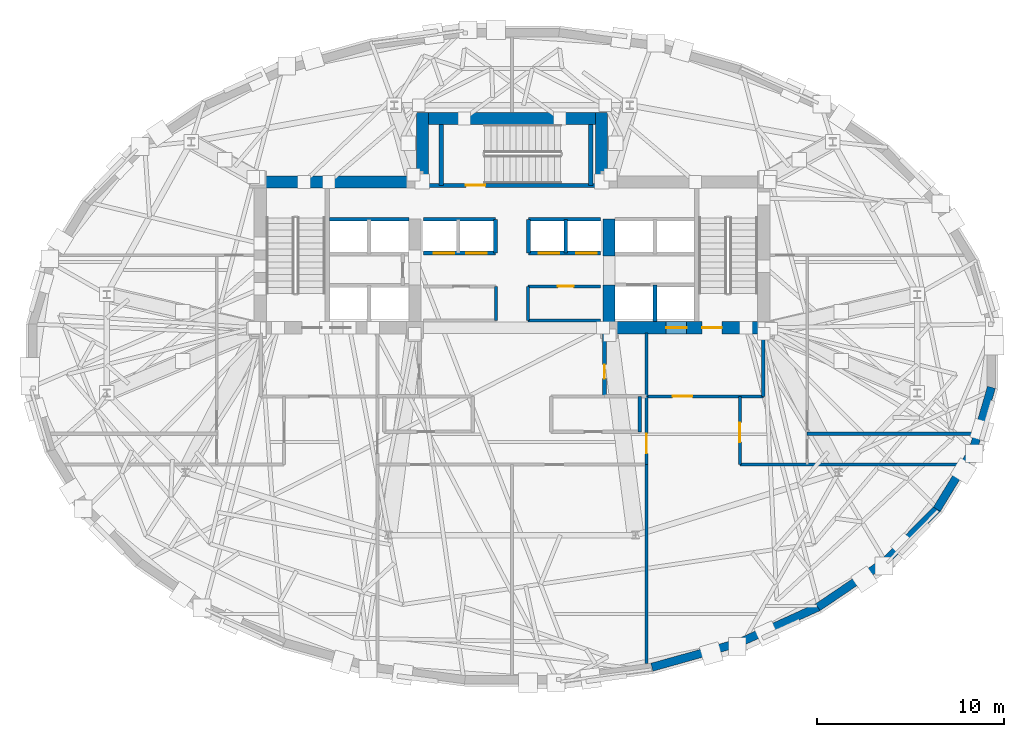
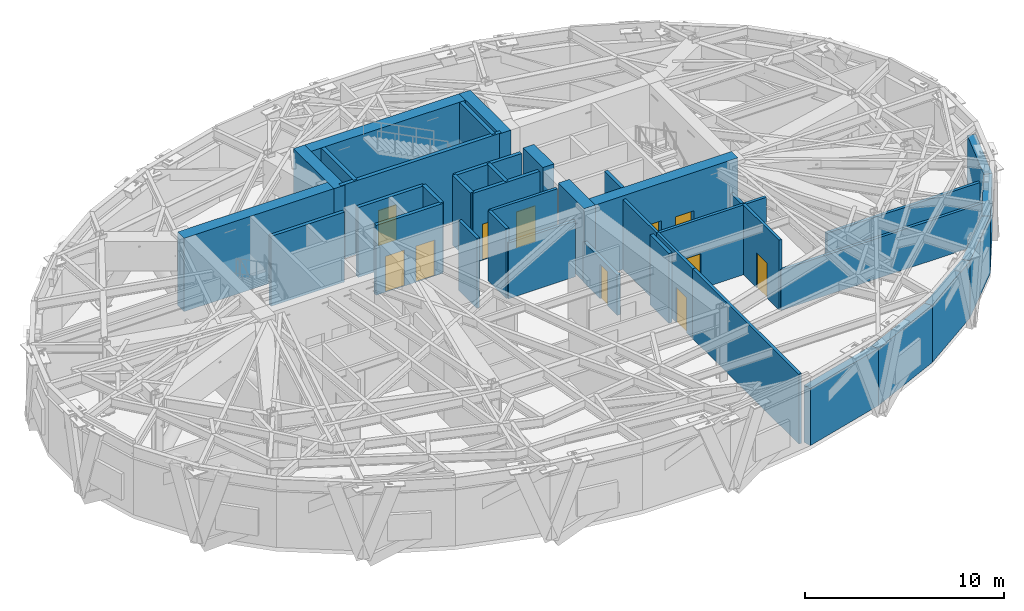
# One storey, part 8 of 13: 39 walls, 12 doors, 12 openings.
"""IFC4 building model written with IfcOpenShell, lengths in metres."""

from ifc_helpers import new_model, si_unit, direction, frame, frame_2d, origin, place, context, subcontext, project, spatial, rectangle, extrude, material, layer, layer_set, type_object, element, fill, save


model = new_model("IFC4")

# Units and contexts
model_context = context("Model", 3, precision=1e-05, world=origin(), true_north=direction((0.0, 1.0)))
body_context = subcontext(model_context, "Body", "Model", "MODEL_VIEW")
ifc_project = project(units=[si_unit("LENGTHUNIT", "METRE"), si_unit("AREAUNIT", "SQUARE_METRE"), si_unit("VOLUMEUNIT", "CUBIC_METRE"), si_unit("PLANEANGLEUNIT", "RADIAN"), si_unit("MASSUNIT", "GRAM", prefix="KILO")], contexts=[model_context])

# Site, building, storey
site_placement = place(None, origin())
site = spatial("IfcSite", under=ifc_project, at=site_placement, CompositionType="ELEMENT")
building_placement = place(site_placement, origin())
building = spatial("IfcBuilding", under=site, at=building_placement, Name="Keldmark Tower", CompositionType="ELEMENT")
storey_placement = place(building_placement, frame((0.0, 0.0, 135.10009765625)))
storey = spatial("IfcBuildingStorey", under=building, at=storey_placement, Name="L36", CompositionType="ELEMENT", Elevation=135.10009765625)

# Wall
ifc_material_1 = material(Name="Heavy Acoustic Plumbing Chase Gypsum Assembly", Category="gypsum")
ifc_layer_1 = layer(ifc_material_1, 0.18994140625)
ifc_layer_set_1 = layer_set([ifc_layer_1], Name="Heavy Acoustic Plumbing Chase Gypsum Assembly")
wall_type_1 = type_object("IfcWallType", Name="Heavy Wet Wall 190 mm", PredefinedType="PLUMBINGWALL", material=ifc_layer_set_1)
wall_1_placement = place(storey_placement, frame((6.85009765625, -4.050048828125, 0.0), z_axis=(0.0, 0.0, 1.0), x_axis=(0.0, 1.0, 0.0)))
element("IfcWall", 1, at=wall_1_placement, inside=storey, type_object=wall_type_1, Name="L36 Heavy Wet Wall 190 mm SPK-E-E", PredefinedType="PLUMBINGWALL", context=body_context, shape_type="SweptSolid", body=[
    extrude(rectangle(XDim=1.900146484375, YDim=0.18994140625, at=frame_2d((0.9501953125, 0.0))), origin(), (0.0, 0.0, 1.0), 4.27978515625),
])

# Wall, opening, door
ifc_material_2 = material(Name="Type X Fire-Rated Gypsum Partition Assembly", Category="gypsum")
ifc_layer_2 = layer(ifc_material_2, 0.1650390625)
ifc_layer_set_2 = layer_set([ifc_layer_2], Name="Type X Fire-Rated Gypsum Partition Assembly")
wall_type_2 = type_object("IfcWallType", Name="Rated Partition 165 mm", PredefinedType="PARTITIONING", material=ifc_layer_set_2)
wall_2_placement = place(storey_placement, frame((7.199951171875, -2.14990234375, 0.0), z_axis=(0.0, 0.0, 1.0), x_axis=(1.0, 0.0, 0.0)))
wall_2 = element("IfcWall", 2, at=wall_2_placement, inside=storey, type_object=wall_type_2, Name="L36 Rated Partition 165 mm FSAE-E-S", PredefinedType="PARTITIONING", context=body_context, shape_type="SweptSolid", body=[
    extrude(rectangle(XDim=6.25, YDim=0.1650390625, at=frame_2d((3.125, 0.0))), origin(), (0.0, 0.0, 1.0), 4.27978515625),
])
opening_1_placement = place(wall_2_placement, frame((1.39990234375, 0.0, 0.0)))
opening_1 = element("IfcOpeningElement", 3, at=opening_1_placement, cuts=wall_2, Name="Opening D-FL105", PredefinedType="OPENING", context=body_context, shape_type="SweptSolid", body=[
    extrude(rectangle(XDim=1.050048828125, YDim=2.14990234375, at=frame_2d((0.52490234375, 1.074951171875))), frame((0.0, 0.092529296875, 0.0), z_axis=(0.0, -1.0, 0.0), x_axis=(1.0, 0.0, 0.0)), (0.0, 0.0, 1.0), 0.18505859375),
])
ifc_material_3 = material(Name="Fire-Rated Mineral-Core Door and Vision Lite", Category="metal")
door_type_1 = type_object("IfcDoorType", Name="Fire Lobby Door 1050x2150", OperationType="NOTDEFINED", PredefinedType="DOOR", material=ifc_material_3)
door_1_placement = place(opening_1_placement, origin())
door_1 = element("IfcDoor", 4, at=door_1_placement, inside=storey, type_object=door_type_1, Name="L36 Fire Lobby Door 1050x2150 D-REFE-FSAE-L36", OperationType="SINGLE_SWING_RIGHT", OverallHeight=2.14990234375, OverallWidth=1.050048828125, PredefinedType="DOOR", context=body_context, shape_type="SweptSolid", body=[
    extrude(rectangle(XDim=1.050048828125, YDim=2.14990234375, at=frame_2d((0.52490234375, 1.074951171875))), frame((0.0, 0.02490234375, 0.0), z_axis=(0.0, -1.0, 0.0), x_axis=(1.0, 0.0, 0.0)), (0.0, 0.0, 1.0), 0.050048828125),
])
fill(opening_1, door_1)

# Walls
wall_3_placement = place(storey_placement, frame((7.199951171875, -2.14990234375, 0.0), z_axis=(0.0, 0.0, 1.0), x_axis=(0.0, 1.0, 0.0)))
element("IfcWall", 5, at=wall_3_placement, inside=storey, type_object=wall_type_2, Name="L36 Rated Partition 165 mm FSAE-E-W", PredefinedType="PARTITIONING", context=body_context, shape_type="SweptSolid", body=[
    extrude(rectangle(XDim=3.39990234375, YDim=0.1650390625, at=frame_2d((1.699951171875, 0.0))), origin(), (0.0, 0.0, 1.0), 4.27978515625),
])
wall_4_placement = place(storey_placement, frame((13.449951171875, -2.14990234375, 0.0), z_axis=(0.0, 0.0, 1.0), x_axis=(0.0, 1.0, 0.0)))
element("IfcWall", 6, at=wall_4_placement, inside=storey, type_object=wall_type_2, Name="L36 Rated Partition 165 mm FSAE-E-E", PredefinedType="PARTITIONING", context=body_context, shape_type="SweptSolid", body=[
    extrude(rectangle(XDim=3.39990234375, YDim=0.1650390625, at=frame_2d((1.699951171875, 0.0))), origin(), (0.0, 0.0, 1.0), 2.469970703125),
])
wall_5_placement = place(storey_placement, frame((-0.85009765625, 1.919921875, 0.0), z_axis=(0.0, 0.0, 1.0), x_axis=(0.0, 1.0, 0.0)))
element("IfcWall", 7, at=wall_5_placement, inside=storey, type_object=wall_type_2, Name="L36 Rated Partition 165 mm REC-LW-E", PredefinedType="PARTITIONING", context=body_context, shape_type="SweptSolid", body=[
    extrude(rectangle(XDim=1.820068359375, YDim=0.1650390625, at=frame_2d((0.91015625, 0.0))), origin(), (0.0, 0.0, 1.0), 4.27978515625),
])
wall_6_placement = place(storey_placement, frame((0.85009765625, 1.919921875, 0.0), z_axis=(0.0, 0.0, 1.0), x_axis=(1.0, 0.0, 0.0)))
element("IfcWall", 8, at=wall_6_placement, inside=storey, type_object=wall_type_2, Name="L36 Rated Partition 165 mm REC-LE-S", PredefinedType="PARTITIONING", context=body_context, shape_type="SweptSolid", body=[
    extrude(rectangle(XDim=3.889892578125, YDim=0.1650390625, at=frame_2d((1.94482421875, 0.0))), origin(), (0.0, 0.0, 1.0), 3.419921875),
])

# Wall, opening, door
wall_7_placement = place(storey_placement, frame((0.85009765625, 3.739990234375, 0.0), z_axis=(0.0, 0.0, 1.0), x_axis=(1.0, 0.0, 0.0)))
wall_7 = element("IfcWall", 9, at=wall_7_placement, inside=storey, type_object=wall_type_2, Name="L36 Rated Partition 165 mm REC-LE-N", PredefinedType="PARTITIONING", context=body_context, shape_type="SweptSolid", body=[
    extrude(rectangle(XDim=3.889892578125, YDim=0.1650390625, at=frame_2d((1.94482421875, 0.0))), origin(), (0.0, 0.0, 1.0), 4.27978515625),
])
opening_2_placement = place(wall_7_placement, frame((1.60009765625, 0.0, 0.0)))
opening_2 = element("IfcOpeningElement", 10, at=opening_2_placement, cuts=wall_7, Name="Opening D-SV085", PredefinedType="OPENING", context=body_context, shape_type="SweptSolid", body=[
    extrude(rectangle(XDim=0.85009765625, YDim=2.10009765625, at=frame_2d((0.425048828125, 1.050048828125))), frame((0.0, 0.092529296875, 0.0), z_axis=(0.0, -1.0, 0.0), x_axis=(1.0, 0.0, 0.0)), (0.0, 0.0, 1.0), 0.18505859375),
])
ifc_material_4 = material(Name="Painted Hollow Metal Door Assembly", Category="metal")
door_type_2 = type_object("IfcDoorType", Name="Service Door 850x2100", OperationType="NOTDEFINED", PredefinedType="DOOR", material=ifc_material_4)
door_2_placement = place(opening_2_placement, origin())
door_2 = element("IfcDoor", 11, at=door_2_placement, inside=storey, type_object=door_type_2, Name="L36 Service Door 850x2100 D-RECLE1-L36", OperationType="SINGLE_SWING_RIGHT", OverallHeight=2.10009765625, OverallWidth=0.85009765625, PredefinedType="DOOR", context=body_context, shape_type="SweptSolid", body=[
    extrude(rectangle(XDim=0.85009765625, YDim=2.10009765625, at=frame_2d((0.425048828125, 1.050048828125))), frame((0.0, 0.02490234375, 0.0), z_axis=(0.0, -1.0, 0.0), x_axis=(1.0, 0.0, 0.0)), (0.0, 0.0, 1.0), 0.050048828125),
])
fill(opening_2, door_2)

# Wall
wall_8_placement = place(storey_placement, frame((0.85009765625, 1.919921875, 0.0), z_axis=(0.0, 0.0, 1.0), x_axis=(0.0, 1.0, 0.0)))
element("IfcWall", 12, at=wall_8_placement, inside=storey, type_object=wall_type_2, Name="L36 Rated Partition 165 mm REC-LE-W", PredefinedType="PARTITIONING", context=body_context, shape_type="SweptSolid", body=[
    extrude(rectangle(XDim=1.820068359375, YDim=0.1650390625, at=frame_2d((0.91015625, 0.0))), origin(), (0.0, 0.0, 1.0), 4.27978515625),
])

# Wall, opening, door
wall_9_placement = place(storey_placement, frame((7.199951171875, -5.800048828125, 0.0), z_axis=(0.0, 0.0, 1.0), x_axis=(0.0, 1.0, 0.0)))
wall_9 = element("IfcWall", 13, at=wall_9_placement, inside=storey, type_object=wall_type_2, Name="L36 Rated Partition 165 mm REF-ET-W", PredefinedType="PARTITIONING", context=body_context, shape_type="SweptSolid", body=[
    extrude(rectangle(XDim=3.650146484375, YDim=0.1650390625, at=frame_2d((1.8251953125, 0.0))), origin(), (0.0, 0.0, 1.0), 4.27978515625),
])
opening_3_placement = place(wall_9_placement, frame((0.60009765625, 0.0, 0.0)))
opening_3 = element("IfcOpeningElement", 14, at=opening_3_placement, cuts=wall_9, Name="Opening D-FL105", PredefinedType="OPENING", context=body_context, shape_type="SweptSolid", body=[
    extrude(rectangle(XDim=1.050048828125, YDim=2.14990234375, at=frame_2d((0.52490234375, 1.074951171875))), frame((0.0, 0.092529296875, 0.0), z_axis=(0.0, -1.0, 0.0), x_axis=(1.0, 0.0, 0.0)), (0.0, 0.0, 1.0), 0.18505859375),
])
door_3_placement = place(opening_3_placement, origin())
door_3 = element("IfcDoor", 15, at=door_3_placement, inside=storey, type_object=door_type_1, Name="L36 Fire Lobby Door 1050x2150 D-REFE-CORW-L36", OperationType="SINGLE_SWING_LEFT", OverallHeight=2.14990234375, OverallWidth=1.050048828125, PredefinedType="DOOR", context=body_context, shape_type="SweptSolid", body=[
    extrude(rectangle(XDim=1.050048828125, YDim=2.14990234375, at=frame_2d((0.52490234375, 1.074951171875))), frame((0.0, 0.02490234375, 0.0), z_axis=(0.0, -1.0, 0.0), x_axis=(1.0, 0.0, 0.0)), (0.0, 0.0, 1.0), 0.050048828125),
])
fill(opening_3, door_3)

wall_10_placement = place(storey_placement, frame((12.199951171875, -5.800048828125, 0.0), z_axis=(0.0, 0.0, 1.0), x_axis=(0.0, 1.0, 0.0)))
wall_10 = element("IfcWall", 16, at=wall_10_placement, inside=storey, type_object=wall_type_2, Name="L36 Rated Partition 165 mm REF-ET-E", PredefinedType="PARTITIONING", context=body_context, shape_type="SweptSolid", body=[
    extrude(rectangle(XDim=3.650146484375, YDim=0.1650390625, at=frame_2d((1.8251953125, 0.0))), origin(), (0.0, 0.0, 1.0), 4.27978515625),
])
opening_4_placement = place(wall_10_placement, frame((1.199951171875, 0.0, 0.0)))
opening_4 = element("IfcOpeningElement", 17, at=opening_4_placement, cuts=wall_10, Name="Opening D-FL105", PredefinedType="OPENING", context=body_context, shape_type="SweptSolid", body=[
    extrude(rectangle(XDim=1.050048828125, YDim=2.14990234375, at=frame_2d((0.52490234375, 1.074951171875))), frame((0.0, 0.092529296875, 0.0), z_axis=(0.0, -1.0, 0.0), x_axis=(1.0, 0.0, 0.0)), (0.0, 0.0, 1.0), 0.18505859375),
])
door_4_placement = place(opening_4_placement, origin())
door_4 = element("IfcDoor", 18, at=door_4_placement, inside=storey, type_object=door_type_1, Name="L36 Fire Lobby Door 1050x2150 D-REFE-CORE-L36", OperationType="SINGLE_SWING_RIGHT", OverallHeight=2.14990234375, OverallWidth=1.050048828125, PredefinedType="DOOR", context=body_context, shape_type="SweptSolid", body=[
    extrude(rectangle(XDim=1.050048828125, YDim=2.14990234375, at=frame_2d((0.52490234375, 1.074951171875))), frame((0.0, 0.02490234375, 0.0), z_axis=(0.0, -1.0, 0.0), x_axis=(1.0, 0.0, 0.0)), (0.0, 0.0, 1.0), 0.050048828125),
])
fill(opening_4, door_4)

# Walls
wall_11_placement = place(storey_placement, frame((7.199951171875, -16.4560546875, 0.0), z_axis=(0.0, 0.0, 1.0), x_axis=(0.0, 1.0, 0.0)))
element("IfcWall", 19, at=wall_11_placement, inside=storey, type_object=wall_type_2, Name="L36 Rated Partition 165 mm REF-S-E", PredefinedType="PARTITIONING", context=body_context, shape_type="SweptSolid", body=[
    extrude(rectangle(XDim=10.656005859375, YDim=0.1650390625, at=frame_2d((5.328125, 0.0))), origin(), (0.0, 0.0, 1.0), 4.27978515625),
])
wall_12_placement = place(storey_placement, frame((12.199951171875, -5.800048828125, 0.0), z_axis=(0.0, 0.0, 1.0), x_axis=(1.0, 0.0, 0.0)))
element("IfcWall", 20, at=wall_12_placement, inside=storey, type_object=wall_type_2, Name="L36 Rated Partition 165 mm REF-CAP-E", PredefinedType="PARTITIONING", context=body_context, shape_type="SweptSolid", body=[
    extrude(rectangle(XDim=11.736572265625, YDim=0.1650390625, at=frame_2d((5.8681640625, 0.0))), origin(), (0.0, 0.0, 1.0), 2.469970703125),
])
wall_13_placement = place(storey_placement, frame((15.800048828125, -4.14990234375, 0.0), z_axis=(0.0, 0.0, 1.0), x_axis=(1.0, 0.0, 0.0)))
element("IfcWall", 21, at=wall_13_placement, inside=storey, type_object=wall_type_2, Name="L36 Rated Partition 165 mm EPL-DIV", PredefinedType="PARTITIONING", context=body_context, shape_type="SweptSolid", body=[
    extrude(rectangle(XDim=8.896728515625, YDim=0.1650390625, at=frame_2d((4.4482421875, 0.0))), origin(), (0.0, 0.0, 1.0), 2.469970703125),
])

# Wall, opening, door
ifc_material_5 = material(Name="Fire-Resistant Type X Gypsum Shaftliner Coreboard", Category="gypsum")
ifc_layer_3 = layer(ifc_material_5, 0.199951171875)
ifc_layer_set_3 = layer_set([ifc_layer_3], Name="Fire-Resistant Type X Gypsum Shaftliner Coreboard")
wall_type_3 = type_object("IfcWallType", Name="Shaft Wall 200 mm", PredefinedType="SOLIDWALL", material=ifc_layer_set_3)
wall_14_placement = place(storey_placement, frame((4.949951171875, -2.14990234375, 0.0), z_axis=(0.0, 0.0, 1.0), x_axis=(0.0, 1.0, 0.0)))
wall_14 = element("IfcWall", 22, at=wall_14_placement, inside=storey, type_object=wall_type_3, Name="L36 Shaft Wall 200 mm RIS-SE-W", PredefinedType="SOLIDWALL", context=body_context, shape_type="SweptSolid", body=[
    extrude(rectangle(XDim=3.39990234375, YDim=0.199951171875, at=frame_2d((1.699951171875, 0.0))), origin(), (0.0, 0.0, 1.0), 2.469970703125),
])
opening_5_placement = place(wall_14_placement, frame((0.949951171875, 0.0, 0.0)))
opening_5 = element("IfcOpeningElement", 23, at=opening_5_placement, cuts=wall_14, Name="Opening D-RS075", PredefinedType="OPENING", context=body_context, shape_type="SweptSolid", body=[
    extrude(rectangle(XDim=0.75, YDim=2.10009765625, at=frame_2d((0.375, 1.050048828125))), frame((0.0, 0.10986328125, 0.0), z_axis=(0.0, -1.0, 0.0), x_axis=(1.0, 0.0, 0.0)), (0.0, 0.0, 1.0), 0.219970703125),
])
ifc_material_6 = material(Name="Galvanized Fire-Rated Access Leaf", Category="metal")
door_type_3 = type_object("IfcDoorType", Name="Riser Access Door 750x2100", OperationType="NOTDEFINED", PredefinedType="DOOR", material=ifc_material_6)
door_5_placement = place(opening_5_placement, origin())
door_5 = element("IfcDoor", 24, at=door_5_placement, inside=storey, type_object=door_type_3, Name="L36 Riser Access Door 750x2100 D-RISSE-L36", OperationType="SINGLE_SWING_LEFT", OverallHeight=2.10009765625, OverallWidth=0.75, PredefinedType="DOOR", context=body_context, shape_type="SweptSolid", body=[
    extrude(rectangle(XDim=0.75, YDim=2.10009765625, at=frame_2d((0.375, 1.050048828125))), frame((0.0, 0.02490234375, 0.0), z_axis=(0.0, -1.0, 0.0), x_axis=(1.0, 0.0, 0.0)), (0.0, 0.0, 1.0), 0.050048828125),
])
fill(opening_5, door_5)

# Walls
wall_15_placement = place(storey_placement, frame((-9.780029296875, 7.330078125, 0.0), z_axis=(0.0, 0.0, 1.0), x_axis=(1.0, 0.0, 0.0)))
element("IfcWall", 25, at=wall_15_placement, inside=storey, type_object=wall_type_3, Name="L36 Shaft Wall 200 mm HW-W-TOP", PredefinedType="SOLIDWALL", context=body_context, shape_type="SweptSolid", body=[
    extrude(rectangle(XDim=4.255126953125, YDim=0.199951171875, at=frame_2d((2.12744140625, 0.0))), origin(), (0.0, 0.0, 1.0), 4.27978515625),
])
wall_16_placement = place(storey_placement, frame((7.64990234375, 1.85009765625, 0.0), z_axis=(0.0, 0.0, 1.0), x_axis=(0.0, 1.0, 0.0)))
element("IfcWall", 26, at=wall_16_placement, inside=storey, type_object=wall_type_3, Name="L36 Shaft Wall 200 mm HW-E-M", PredefinedType="SOLIDWALL", context=body_context, shape_type="SweptSolid", body=[
    extrude(rectangle(XDim=1.969970703125, YDim=0.199951171875, at=frame_2d((0.98486328125, 0.0))), origin(), (0.0, 0.0, 1.0), 4.27978515625),
])

# Wall, openings, doors
wall_17_placement = place(storey_placement, frame((-4.739990234375, 5.52001953125, 0.0), z_axis=(0.0, 0.0, 1.0), x_axis=(1.0, 0.0, 0.0)))
wall_17 = element("IfcWall", 27, at=wall_17_placement, inside=storey, type_object=wall_type_3, Name="L36 Shaft Wall 200 mm MID-S-W", PredefinedType="SOLIDWALL", context=body_context, shape_type="SweptSolid", body=[
    extrude(rectangle(XDim=3.860107421875, YDim=0.199951171875, at=frame_2d((1.93017578125, 0.0))), origin(), (0.0, 0.0, 1.0), 4.27978515625),
])
opening_6_placement = place(wall_17_placement, frame((0.550048828125, 0.0, 0.0)))
opening_6 = element("IfcOpeningElement", 28, at=opening_6_placement, cuts=wall_17, Name="Opening LD-110", PredefinedType="OPENING", context=body_context, shape_type="SweptSolid", body=[
    extrude(rectangle(XDim=1.10009765625, YDim=2.199951171875, at=frame_2d((0.550048828125, 1.10009765625))), frame((0.0, 0.10986328125, 0.0), z_axis=(0.0, -1.0, 0.0), x_axis=(1.0, 0.0, 0.0)), (0.0, 0.0, 1.0), 0.219970703125),
])
opening_7_placement = place(wall_17_placement, frame((2.300048828125, 0.0, 0.0)))
opening_7 = element("IfcOpeningElement", 29, at=opening_7_placement, cuts=wall_17, Name="Opening LD-110", PredefinedType="OPENING", context=body_context, shape_type="SweptSolid", body=[
    extrude(rectangle(XDim=1.10009765625, YDim=2.199951171875, at=frame_2d((0.550048828125, 1.10009765625))), frame((0.0, 0.10986328125, 0.0), z_axis=(0.0, -1.0, 0.0), x_axis=(1.0, 0.0, 0.0)), (0.0, 0.0, 1.0), 0.219970703125),
])
ifc_material_7 = material(Name="Brushed Bronze Hoistway Sliding Leaf", Category="metal")
door_type_4 = type_object("IfcDoorType", Name="Lift Landing Sliding Door 1100x2200", OperationType="SLIDING_TO_LEFT", PredefinedType="DOOR", material=ifc_material_7)
door_6_placement = place(opening_6_placement, origin())
door_6 = element("IfcDoor", 30, at=door_6_placement, inside=storey, type_object=door_type_4, Name="L36 Lift Landing Sliding Door 1100x2200 LD-EL-M1-L36", OperationType="SLIDING_TO_LEFT", OverallHeight=2.199951171875, OverallWidth=1.10009765625, PredefinedType="DOOR", context=body_context, shape_type="SweptSolid", body=[
    extrude(rectangle(XDim=1.10009765625, YDim=2.199951171875, at=frame_2d((0.550048828125, 1.10009765625))), frame((0.0, 0.02490234375, 0.0), z_axis=(0.0, -1.0, 0.0), x_axis=(1.0, 0.0, 0.0)), (0.0, 0.0, 1.0), 0.050048828125),
])
fill(opening_6, door_6)
door_7_placement = place(opening_7_placement, origin())
door_7 = element("IfcDoor", 31, at=door_7_placement, inside=storey, type_object=door_type_4, Name="L36 Lift Landing Sliding Door 1100x2200 LD-EL-M2-L36", OperationType="SLIDING_TO_LEFT", OverallHeight=2.199951171875, OverallWidth=1.10009765625, PredefinedType="DOOR", context=body_context, shape_type="SweptSolid", body=[
    extrude(rectangle(XDim=1.10009765625, YDim=2.199951171875, at=frame_2d((0.550048828125, 1.10009765625))), frame((0.0, 0.02490234375, 0.0), z_axis=(0.0, -1.0, 0.0), x_axis=(1.0, 0.0, 0.0)), (0.0, 0.0, 1.0), 0.050048828125),
])
fill(opening_7, door_7)

wall_18_placement = place(storey_placement, frame((0.8798828125, 5.52001953125, 0.0), z_axis=(0.0, 0.0, 1.0), x_axis=(1.0, 0.0, 0.0)))
wall_18 = element("IfcWall", 32, at=wall_18_placement, inside=storey, type_object=wall_type_3, Name="L36 Shaft Wall 200 mm MID-S-E", PredefinedType="SOLIDWALL", context=body_context, shape_type="SweptSolid", body=[
    extrude(rectangle(XDim=3.860107421875, YDim=0.199951171875, at=frame_2d((1.93017578125, 0.0))), origin(), (0.0, 0.0, 1.0), 4.27978515625),
])
opening_8_placement = place(wall_18_placement, frame((0.550048828125, 0.0, 0.0)))
opening_8 = element("IfcOpeningElement", 33, at=opening_8_placement, cuts=wall_18, Name="Opening LD-110", PredefinedType="OPENING", context=body_context, shape_type="SweptSolid", body=[
    extrude(rectangle(XDim=1.10009765625, YDim=2.199951171875, at=frame_2d((0.550048828125, 1.10009765625))), frame((0.0, 0.10986328125, 0.0), z_axis=(0.0, -1.0, 0.0), x_axis=(1.0, 0.0, 0.0)), (0.0, 0.0, 1.0), 0.219970703125),
])
opening_9_placement = place(wall_18_placement, frame((2.550048828125, 0.0, 0.0)))
opening_9 = element("IfcOpeningElement", 34, at=opening_9_placement, cuts=wall_18, Name="Opening LD-110", PredefinedType="OPENING", context=body_context, shape_type="SweptSolid", body=[
    extrude(rectangle(XDim=1.10009765625, YDim=2.199951171875, at=frame_2d((0.550048828125, 1.10009765625))), frame((0.0, 0.10986328125, 0.0), z_axis=(0.0, -1.0, 0.0), x_axis=(1.0, 0.0, 0.0)), (0.0, 0.0, 1.0), 0.219970703125),
])
door_8_placement = place(opening_8_placement, origin())
door_8 = element("IfcDoor", 35, at=door_8_placement, inside=storey, type_object=door_type_4, Name="L36 Lift Landing Sliding Door 1100x2200 LD-EL-M3-L36", OperationType="SLIDING_TO_LEFT", OverallHeight=2.199951171875, OverallWidth=1.10009765625, PredefinedType="DOOR", context=body_context, shape_type="SweptSolid", body=[
    extrude(rectangle(XDim=1.10009765625, YDim=2.199951171875, at=frame_2d((0.550048828125, 1.10009765625))), frame((0.0, 0.02490234375, 0.0), z_axis=(0.0, -1.0, 0.0), x_axis=(1.0, 0.0, 0.0)), (0.0, 0.0, 1.0), 0.050048828125),
])
fill(opening_8, door_8)
door_9_placement = place(opening_9_placement, origin())
door_9 = element("IfcDoor", 36, at=door_9_placement, inside=storey, type_object=door_type_4, Name="L36 Lift Landing Sliding Door 1100x2200 LD-EL-M4-L36", OperationType="SLIDING_TO_LEFT", OverallHeight=2.199951171875, OverallWidth=1.10009765625, PredefinedType="DOOR", context=body_context, shape_type="SweptSolid", body=[
    extrude(rectangle(XDim=1.10009765625, YDim=2.199951171875, at=frame_2d((0.550048828125, 1.10009765625))), frame((0.0, 0.02490234375, 0.0), z_axis=(0.0, -1.0, 0.0), x_axis=(1.0, 0.0, 0.0)), (0.0, 0.0, 1.0), 0.050048828125),
])
fill(opening_9, door_9)

# Walls
for number, where, z_axis, x_axis, name in (
    (37, (-4.739990234375, 7.330078125, 0.0), (0.0, 0.0, 1.0), (1.0, 0.0, 0.0), "L36 Shaft Wall 200 mm MID-N-W"),
    (38, (0.8798828125, 7.330078125, 0.0), (0.0, 0.0, 1.0), (1.0, 0.0, 0.0), "L36 Shaft Wall 200 mm MID-N-E"),
):
    element("IfcWall", number, at=place(storey_placement, frame(where, z_axis=z_axis, x_axis=x_axis)), inside=storey, type_object=wall_type_3, Name=name, PredefinedType="SOLIDWALL", context=body_context, shape_type="SweptSolid", body=[
        extrude(rectangle(XDim=3.860107421875, YDim=0.199951171875, at=frame_2d((1.93017578125, 0.0))), origin(), (0.0, 0.0, 1.0), 4.27978515625),
    ])
for number, where, z_axis, x_axis, name in (
    (39, (2.8798828125, 5.52001953125, 0.0), (0.0, 0.0, 1.0), (0.0, 1.0, 0.0), "L36 Shaft Wall 200 mm MID-M-E"),
    (40, (-0.8798828125, 5.52001953125, 0.0), (0.0, 0.0, 1.0), (0.0, 1.0, 0.0), "L36 Shaft Wall 200 mm MID-C-W"),
    (41, (0.8798828125, 5.52001953125, 0.0), (0.0, 0.0, 1.0), (0.0, 1.0, 0.0), "L36 Shaft Wall 200 mm MID-C-E"),
):
    element("IfcWall", number, at=place(storey_placement, frame(where, z_axis=z_axis, x_axis=x_axis)), inside=storey, type_object=wall_type_3, Name=name, PredefinedType="SOLIDWALL", context=body_context, shape_type="SweptSolid", body=[
        extrude(rectangle(XDim=1.81005859375, YDim=0.199951171875, at=frame_2d((0.905029296875, 0.0))), origin(), (0.0, 0.0, 1.0), 4.27978515625),
    ])

# Wall, opening, door
ifc_material_8 = material(Name="Concrete C50/60", Category="concrete")
ifc_layer_4 = layer(ifc_material_8, 0.219970703125)
ifc_layer_set_4 = layer_set([ifc_layer_4], Name="Concrete C50/60")
wall_type_4 = type_object("IfcWallType", Name="Stair Core Shear Wall 220 mm", PredefinedType="SHEAR", material=ifc_layer_set_4)
wall_19_placement = place(storey_placement, frame((-4.699951171875, 9.139892578125, 0.0), z_axis=(0.0, 0.0, 1.0), x_axis=(1.0, 0.0, 0.0)))
wall_19 = element("IfcWall", 42, at=wall_19_placement, inside=storey, type_object=wall_type_4, Name="L36 Central Stair Core South Shear Wall", PredefinedType="SHEAR", context=body_context, shape_type="SweptSolid", body=[
    extrude(rectangle(XDim=9.300048828125, YDim=0.219970703125, at=frame_2d((4.64990234375, 0.0))), origin(), (0.0, 0.0, 1.0), 4.5),
])
opening_10_placement = place(wall_19_placement, frame((2.22998046875, 0.0, 0.0)))
opening_10 = element("IfcOpeningElement", 43, at=opening_10_placement, cuts=wall_19, Name="Opening D-ST105", PredefinedType="OPENING", context=body_context, shape_type="SweptSolid", body=[
    extrude(rectangle(XDim=1.050048828125, YDim=2.14990234375, at=frame_2d((0.52490234375, 1.074951171875))), frame((0.0, 0.119873046875, 0.0), z_axis=(0.0, -1.0, 0.0), x_axis=(1.0, 0.0, 0.0)), (0.0, 0.0, 1.0), 0.239990234375),
])
ifc_material_9 = material(Name="Hollow Metal Fire-Rated Door Assembly", Category="metal")
door_type_5 = type_object("IfcDoorType", Name="Stair Fire Door 1050x2150", OperationType="NOTDEFINED", PredefinedType="DOOR", material=ifc_material_9)
door_10_placement = place(opening_10_placement, origin())
door_10 = element("IfcDoor", 44, at=door_10_placement, inside=storey, type_object=door_type_5, Name="L36 Stair Fire Door 1050x2150 D-ST3-L36", OperationType="SINGLE_SWING_LEFT", OverallHeight=2.14990234375, OverallWidth=1.050048828125, PredefinedType="DOOR", context=body_context, shape_type="SweptSolid", body=[
    extrude(rectangle(XDim=1.050048828125, YDim=2.14990234375, at=frame_2d((0.52490234375, 1.074951171875))), frame((0.0, 0.02490234375, 0.0), z_axis=(0.0, -1.0, 0.0), x_axis=(1.0, 0.0, 0.0)), (0.0, 0.0, 1.0), 0.050048828125),
])
fill(opening_10, door_10)

# Walls
for number, where, z_axis, x_axis, name in (
    (45, (-3.784912109375, 9.139892578125, 0.0), (0.0, 0.0, 1.0), (0.0, 1.0, 0.0), "L36 Central Stair Core West Shear Wall"),
    (46, (4.215087890625, 9.139892578125, 0.0), (0.0, 0.0, 1.0), (0.0, 1.0, 0.0), "L36 Central Stair Core East Shear Wall"),
):
    element("IfcWall", number, at=place(storey_placement, frame(where, z_axis=z_axis, x_axis=x_axis)), inside=storey, type_object=wall_type_4, Name=name, PredefinedType="SHEAR", context=body_context, shape_type="SweptSolid", body=[
        extrude(rectangle(XDim=3.260009765625, YDim=0.219970703125, at=frame_2d((1.6298828125, 0.0))), origin(), (0.0, 0.0, 1.0), 4.5),
    ])
ifc_material_10 = material(Name="Ironspot Manganese Brick and Kasota Buff Limestone Spandrel Assembly", Category="masonry")
ifc_layer_5 = layer(ifc_material_10, 0.43994140625)
ifc_layer_set_5 = layer_set([ifc_layer_5], Name="Ironspot Manganese Brick and Kasota Buff Limestone Spandrel Assembly")
wall_type_5 = type_object("IfcWallType", Name="Tower Brick Pier and Spandrel Wall 440 mm", PredefinedType="STANDARD", material=ifc_layer_set_5)
wall_20_placement = place(storey_placement, frame((12.19677734375, -15.32763671875, 0.0), z_axis=(0.0, 0.0, 1.0), x_axis=(-0.962790668442, -0.270248272446, 0.0)))
element("IfcWall", 47, at=wall_20_placement, inside=storey, type_object=wall_type_5, Name="L36 Exterior Brick and Spandrel Wall 26", PredefinedType="STANDARD", context=body_context, shape_type="SweptSolid", body=[
    extrude(rectangle(XDim=4.890869140625, YDim=0.43994140625, at=frame_2d((2.4453125, 0.0))), origin(), (0.0, 0.0, 1.0), 3.497802734375),
])
wall_21_placement = place(storey_placement, frame((16.4033203125, -13.419921875, 0.0), z_axis=(0.0, 0.0, 1.0), x_axis=(-0.910938924115, -0.412541242221, 0.0)))
element("IfcWall", 48, at=wall_21_placement, inside=storey, type_object=wall_type_5, Name="L36 Exterior Brick and Spandrel Wall 27", PredefinedType="STANDARD", context=body_context, shape_type="SweptSolid", body=[
    extrude(rectangle(XDim=4.652099609375, YDim=0.43994140625, at=frame_2d((2.326171875, 0.0))), origin(), (0.0, 0.0, 1.0), 3.497802734375),
])
wall_22_placement = place(storey_placement, frame((19.974853515625, -10.995849609375, 0.0), z_axis=(0.0, 0.0, 1.0), x_axis=(-0.827816201219, -0.56099940909, 0.0)))
element("IfcWall", 49, at=wall_22_placement, inside=storey, type_object=wall_type_5, Name="L36 Exterior Brick and Spandrel Wall 28", PredefinedType="STANDARD", context=body_context, shape_type="SweptSolid", body=[
    extrude(rectangle(XDim=4.353515625, YDim=0.43994140625, at=frame_2d((2.1767578125, 0.0))), origin(), (0.0, 0.0, 1.0), 3.497802734375),
])
wall_23_placement = place(storey_placement, frame((22.773193359375, -8.151611328125, 0.0), z_axis=(0.0, 0.0, 1.0), x_axis=(-0.702094935552, -0.712083352897, 0.0)))
element("IfcWall", 50, at=wall_23_placement, inside=storey, type_object=wall_type_5, Name="L36 Exterior Brick and Spandrel Wall 29", PredefinedType="STANDARD", context=body_context, shape_type="SweptSolid", body=[
    extrude(rectangle(XDim=4.032958984375, YDim=0.43994140625, at=frame_2d((2.0166015625, 0.0))), origin(), (0.0, 0.0, 1.0), 3.497802734375),
])
wall_24_placement = place(storey_placement, frame((24.692626953125, -5.0, 0.0), z_axis=(0.0, 0.0, 1.0), x_axis=(-0.521476412293, -0.853265698022, 0.0)))
element("IfcWall", 51, at=wall_24_placement, inside=storey, type_object=wall_type_5, Name="L36 Exterior Brick and Spandrel Wall 30", PredefinedType="STANDARD", context=body_context, shape_type="SweptSolid", body=[
    extrude(rectangle(XDim=3.740234375, YDim=0.43994140625, at=frame_2d((1.8701171875, 0.0))), origin(), (0.0, 0.0, 1.0), 3.497802734375),
])
wall_25_placement = place(storey_placement, frame((25.663818359375, -1.6650390625, 0.0), z_axis=(0.0, 0.0, 1.0), x_axis=(-0.28170956188, -0.959499725245, 0.0)))
element("IfcWall", 52, at=wall_25_placement, inside=storey, type_object=wall_type_5, Name="L36 Exterior Brick and Spandrel Wall 31", PredefinedType="STANDARD", context=body_context, shape_type="SweptSolid", body=[
    extrude(rectangle(XDim=3.53076171875, YDim=0.43994140625, at=frame_2d((1.765380859375, 0.0))), origin(), (0.0, 0.0, 1.0), 3.497802734375),
])
ifc_material_11 = material(Name="Concrete C50/60", Category="concrete")
ifc_layer_6 = layer(ifc_material_11, 0.64990234375)
ifc_layer_set_6 = layer_set([ifc_layer_6], Name="Concrete C50/60")
wall_type_6 = type_object("IfcWallType", Name="Upper-Mid Core Shear Wall 650 mm", PredefinedType="SHEAR", material=ifc_layer_set_6)
wall_26_placement = place(storey_placement, frame((-13.800048828125, 9.324951171875, 0.0), z_axis=(0.0, 0.0, 1.0), x_axis=(1.0, 0.0, 0.0)))
element("IfcWall", 53, at=wall_26_placement, inside=storey, type_object=wall_type_6, Name="L36 West Core North Shear Wall", PredefinedType="SHEAR", context=body_context, shape_type="SweptSolid", body=[
    extrude(rectangle(XDim=9.324951171875, YDim=0.64990234375, at=frame_2d((4.66259765625, 0.0))), origin(), (0.0, 0.0, 1.0), 4.5),
])

# Wall, openings, doors
wall_27_placement = place(storey_placement, frame((13.800048828125, 1.52490234375, 0.0), z_axis=(0.0, 0.0, 1.0), x_axis=(-1.0, 0.0, 0.0)))
wall_27 = element("IfcWall", 54, at=wall_27_placement, inside=storey, type_object=wall_type_6, Name="L36 East Core South Shear Wall", PredefinedType="SHEAR", context=body_context, shape_type="SweptSolid", body=[
    extrude(rectangle(XDim=8.925048828125, YDim=0.64990234375, at=frame_2d((4.46240234375, 0.0))), origin(), (0.0, 0.0, 1.0), 4.5),
])
opening_11_placement = place(wall_27_placement, frame((2.570068359375, 0.0, 0.0)))
opening_11 = element("IfcOpeningElement", 55, at=opening_11_placement, cuts=wall_27, Name="Opening D-ST105", PredefinedType="OPENING", context=body_context, shape_type="SweptSolid", body=[
    extrude(rectangle(XDim=1.050048828125, YDim=2.14990234375, at=frame_2d((0.52490234375, 1.074951171875))), frame((0.0, 0.3349609375, 0.0), z_axis=(0.0, -1.0, 0.0), x_axis=(1.0, 0.0, 0.0)), (0.0, 0.0, 1.0), 0.669921875),
])
opening_12_placement = place(wall_27_placement, frame((4.449951171875, 0.0, 0.0)))
opening_12 = element("IfcOpeningElement", 56, at=opening_12_placement, cuts=wall_27, Name="Opening LD-110", PredefinedType="OPENING", context=body_context, shape_type="SweptSolid", body=[
    extrude(rectangle(XDim=1.10009765625, YDim=2.199951171875, at=frame_2d((0.550048828125, 1.10009765625))), frame((0.0, 0.3349609375, 0.0), z_axis=(0.0, -1.0, 0.0), x_axis=(1.0, 0.0, 0.0)), (0.0, 0.0, 1.0), 0.669921875),
])
door_11_placement = place(opening_12_placement, origin())
door_11 = element("IfcDoor", 57, at=door_11_placement, inside=storey, type_object=door_type_4, Name="L36 Lift Landing Sliding Door 1100x2200 LD-EL-FS2-L36", OperationType="SLIDING_TO_LEFT", OverallHeight=2.199951171875, OverallWidth=1.10009765625, PredefinedType="DOOR", context=body_context, shape_type="SweptSolid", body=[
    extrude(rectangle(XDim=1.10009765625, YDim=2.199951171875, at=frame_2d((0.550048828125, 1.10009765625))), frame((0.0, 0.02490234375, 0.0), z_axis=(0.0, -1.0, 0.0), x_axis=(1.0, 0.0, 0.0)), (0.0, 0.0, 1.0), 0.050048828125),
])
fill(opening_12, door_11)
door_12_placement = place(opening_11_placement, origin())
door_12 = element("IfcDoor", 58, at=door_12_placement, inside=storey, type_object=door_type_5, Name="L36 Stair Fire Door 1050x2150 D-ST2-L36", OperationType="SINGLE_SWING_LEFT", OverallHeight=2.14990234375, OverallWidth=1.050048828125, PredefinedType="DOOR", context=body_context, shape_type="SweptSolid", body=[
    extrude(rectangle(XDim=1.050048828125, YDim=2.14990234375, at=frame_2d((0.52490234375, 1.074951171875))), frame((0.0, 0.02490234375, 0.0), z_axis=(0.0, -1.0, 0.0), x_axis=(1.0, 0.0, 0.0)), (0.0, 0.0, 1.0), 0.050048828125),
])
fill(opening_11, door_12)

# Walls
wall_28_placement = place(storey_placement, frame((5.199951171875, 1.199951171875, 0.0), z_axis=(0.0, 0.0, 1.0), x_axis=(0.0, 1.0, 0.0)))
element("IfcWall", 59, at=wall_28_placement, inside=storey, type_object=wall_type_6, Name="L36 East Core Inner Shear Pier South", PredefinedType="SHEAR", context=body_context, shape_type="SweptSolid", body=[
    extrude(rectangle(XDim=2.60009765625, YDim=0.64990234375, at=frame_2d((1.300048828125, 0.0))), origin(), (0.0, 0.0, 1.0), 4.5),
])
wall_29_placement = place(storey_placement, frame((5.199951171875, 5.35009765625, 0.0), z_axis=(0.0, 0.0, 1.0), x_axis=(0.0, 1.0, 0.0)))
element("IfcWall", 60, at=wall_29_placement, inside=storey, type_object=wall_type_6, Name="L36 East Core Inner Shear Pier North", PredefinedType="SHEAR", context=body_context, shape_type="SweptSolid", body=[
    extrude(rectangle(XDim=2.0, YDim=0.64990234375, at=frame_2d((1.0, 0.0))), origin(), (0.0, 0.0, 1.0), 4.5),
])
wall_30_placement = place(storey_placement, frame((-5.125, 12.72509765625, 0.0), z_axis=(0.0, 0.0, 1.0), x_axis=(1.0, 0.0, 0.0)))
element("IfcWall", 61, at=wall_30_placement, inside=storey, type_object=wall_type_6, Name="L36 North Core Shear Wall", PredefinedType="SHEAR", context=body_context, shape_type="SweptSolid", body=[
    extrude(rectangle(XDim=10.25, YDim=0.64990234375, at=frame_2d((5.125, 0.0))), origin(), (0.0, 0.0, 1.0), 4.5),
])
for number, where, z_axis, x_axis, name in (
    (62, (-4.800048828125, 9.0, 0.0), (0.0, 0.0, 1.0), (0.0, 1.0, 0.0), "L36 North Core West Shear Wall"),
    (63, (4.800048828125, 9.0, 0.0), (0.0, 0.0, 1.0), (0.0, 1.0, 0.0), "L36 North Core East Shear Wall"),
):
    element("IfcWall", number, at=place(storey_placement, frame(where, z_axis=z_axis, x_axis=x_axis)), inside=storey, type_object=wall_type_6, Name=name, PredefinedType="SHEAR", context=body_context, shape_type="SweptSolid", body=[
        extrude(rectangle(XDim=4.050048828125, YDim=0.64990234375, at=frame_2d((2.02490234375, 0.0))), origin(), (0.0, 0.0, 1.0), 4.5),
    ])

save(model, "model.ifc")
